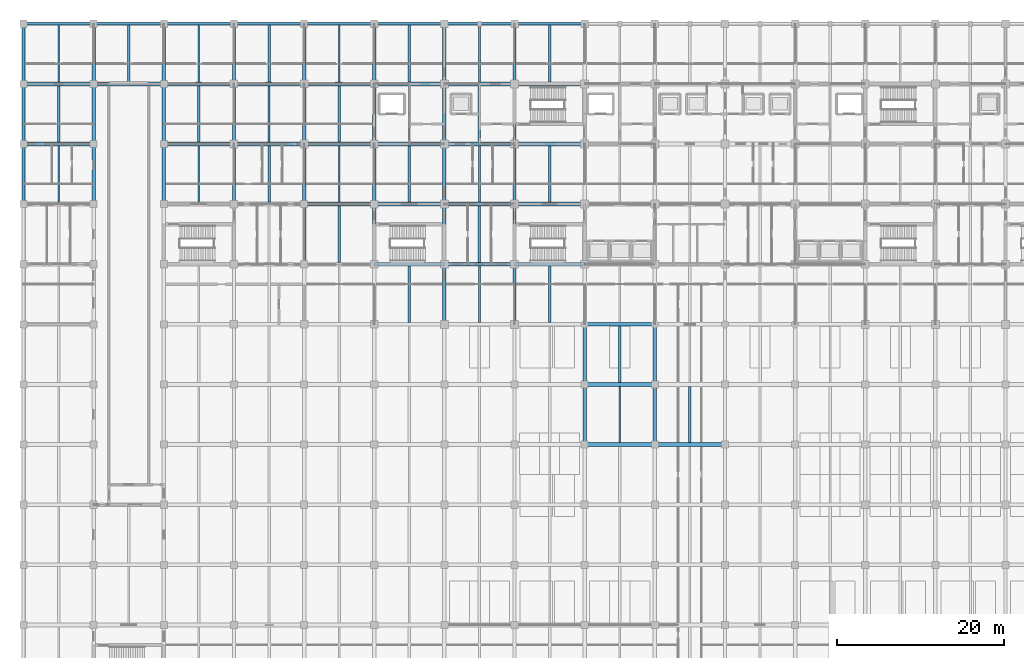
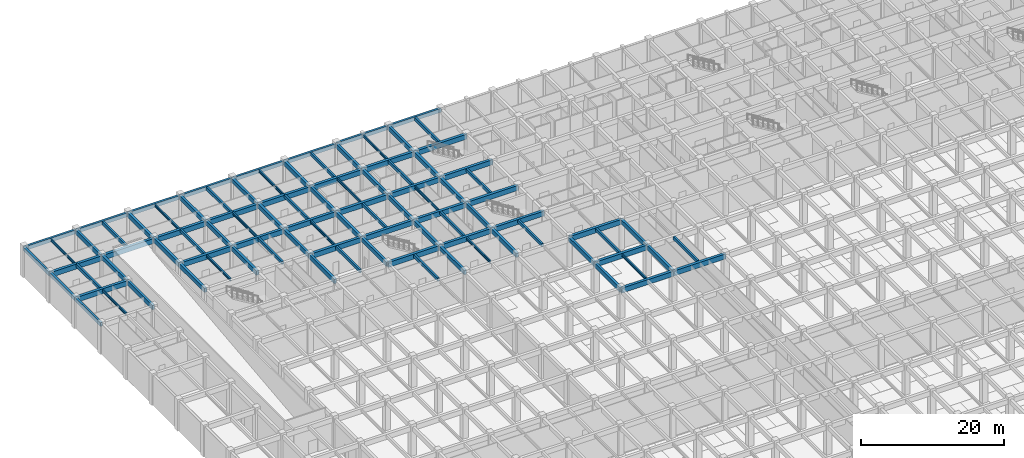
# One storey, part 7 of 48: 97 beams.
"""IFC4 building model written with IfcOpenShell, lengths in metres."""

from ifc_helpers import new_model, si_unit, direction, frame, origin, origin_2d, place, context, subcontext, project, spatial, rectangle, i_section, extrude, material, material_profile, profile_set, type_object, element, save


model = new_model("IFC4")

# Units and contexts
model_context = context("Model", 3, precision=1e-05, world=origin(), true_north=direction((0.0, 1.0)))
body_context = subcontext(model_context, "Body", "Model", "MODEL_VIEW")
ifc_project = project(units=[si_unit("LENGTHUNIT", "METRE"), si_unit("AREAUNIT", "SQUARE_METRE"), si_unit("VOLUMEUNIT", "CUBIC_METRE"), si_unit("PLANEANGLEUNIT", "RADIAN"), si_unit("MASSUNIT", "GRAM", prefix="KILO")], contexts=[model_context])

# Site, building, storey
site_placement = place(None, origin())
site = spatial("IfcSite", under=ifc_project, at=site_placement, CompositionType="ELEMENT")
building_placement = place(site_placement, origin())
building = spatial("IfcBuilding", under=site, at=building_placement, Name="Chengyuan Square Courthouse", CompositionType="ELEMENT")
storey_placement = place(building_placement, frame((0.0, 0.0, -5.39990234375)))
storey = spatial("IfcBuildingStorey", under=building, at=storey_placement, Name="B01", CompositionType="ELEMENT", Elevation=-5.39990234375)

# Beams
ifc_material_1 = material(Name="Concrete C40", Category="concrete")
ifc_material_profile_1 = material_profile(ifc_material_1, rectangle(XDim=0.449951171875, YDim=0.85009765625, at=origin_2d()), Name="RC-BM-450x850")
ifc_profile_set_1 = profile_set([ifc_material_profile_1], Name="Concrete C40")
beam_type_1 = type_object("IfcBeamType", Name="BM-01", PredefinedType="USERDEFINED", material=ifc_profile_set_1)
beam_1_placement = place(storey_placement, frame((67.199951171875, 64.800048828125, 4.554931640625), z_axis=(1.0, 0.0, 0.0), x_axis=(0.0, 1.0, 0.0)))
element("IfcBeam", 1, at=beam_1_placement, inside=storey, type_object=beam_type_1, Name="Girder BM-B01-0859", ObjectType="GIRDER", PredefinedType="USERDEFINED", context=body_context, shape_type="SweptSolid", body=[
    extrude(rectangle(XDim=0.449951171875, YDim=0.85009765625, at=origin_2d()), origin(), (0.0, 0.0, 1.0), 8.400146484375),
])
beam_2_placement = place(storey_placement, frame((75.60009765625, 64.800048828125, 4.554931640625), z_axis=(1.0, 0.0, 0.0), x_axis=(0.0, 1.0, 0.0)))
element("IfcBeam", 2, at=beam_2_placement, inside=storey, type_object=beam_type_1, Name="Girder BM-B01-0860", ObjectType="GIRDER", PredefinedType="USERDEFINED", context=body_context, shape_type="SweptSolid", body=[
    extrude(rectangle(XDim=0.449951171875, YDim=0.85009765625, at=origin_2d()), origin(), (0.0, 0.0, 1.0), 8.39990234375),
])
for number, where, z_axis, x_axis, name in (
    (3, (67.199951171875, 72.0, 4.6748046875), (1.0, 0.0, 0.0), (0.0, 1.0, 0.0), "Girder BM-B01-0878"),
    (4, (67.199951171875, 79.199951171875, 4.6748046875), (1.0, 0.0, 0.0), (0.0, 1.0, 0.0), "Girder BM-B01-0897"),
):
    element("IfcBeam", number, at=place(storey_placement, frame(where, z_axis=z_axis, x_axis=x_axis)), inside=storey, type_object=beam_type_1, Name=name, ObjectType="GIRDER", PredefinedType="USERDEFINED", context=body_context, shape_type="SweptSolid", body=[
        extrude(rectangle(XDim=0.449951171875, YDim=0.85009765625, at=origin_2d()), origin(), (0.0, 0.0, 1.0), 8.400146484375),
    ])
beam_3_placement = place(storey_placement, frame((42.0, 86.39990234375, 4.6748046875), z_axis=(1.0, 0.0, 0.0), x_axis=(0.0, 1.0, 0.0)))
element("IfcBeam", 5, at=beam_3_placement, inside=storey, type_object=beam_type_1, Name="Girder BM-B01-0913", ObjectType="GIRDER", PredefinedType="USERDEFINED", context=body_context, shape_type="SweptSolid", body=[
    extrude(rectangle(XDim=0.449951171875, YDim=0.85009765625, at=origin_2d()), origin(), (0.0, 0.0, 1.0), 8.39990234375),
])
beam_4_placement = place(storey_placement, frame((50.39990234375, 86.39990234375, 4.6748046875), z_axis=(1.0, 0.0, 0.0), x_axis=(0.0, 1.0, 0.0)))
element("IfcBeam", 6, at=beam_4_placement, inside=storey, type_object=beam_type_1, Name="Girder BM-B01-0914", ObjectType="GIRDER", PredefinedType="USERDEFINED", context=body_context, shape_type="SweptSolid", body=[
    extrude(rectangle(XDim=0.449951171875, YDim=0.85009765625, at=origin_2d()), origin(), (0.0, 0.0, 1.0), 8.400146484375),
])
for number, where, z_axis, x_axis, name in (
    (7, (58.800048828125, 86.39990234375, 4.6748046875), (1.0, 0.0, 0.0), (0.0, 1.0, 0.0), "Girder BM-B01-0915"),
    (8, (33.60009765625, 93.60009765625, 4.6748046875), (1.0, 0.0, 0.0), (0.0, 1.0, 0.0), "Girder BM-B01-0931"),
    (9, (42.0, 93.60009765625, 4.6748046875), (1.0, 0.0, 0.0), (0.0, 1.0, 0.0), "Girder BM-B01-0932"),
):
    element("IfcBeam", number, at=place(storey_placement, frame(where, z_axis=z_axis, x_axis=x_axis)), inside=storey, type_object=beam_type_1, Name=name, ObjectType="GIRDER", PredefinedType="USERDEFINED", context=body_context, shape_type="SweptSolid", body=[
        extrude(rectangle(XDim=0.449951171875, YDim=0.85009765625, at=origin_2d()), origin(), (0.0, 0.0, 1.0), 8.39990234375),
    ])
beam_5_placement = place(storey_placement, frame((50.39990234375, 93.60009765625, 4.6748046875), z_axis=(1.0, 0.0, 0.0), x_axis=(0.0, 1.0, 0.0)))
element("IfcBeam", 10, at=beam_5_placement, inside=storey, type_object=beam_type_1, Name="Girder BM-B01-0933", ObjectType="GIRDER", PredefinedType="USERDEFINED", context=body_context, shape_type="SweptSolid", body=[
    extrude(rectangle(XDim=0.449951171875, YDim=0.85009765625, at=origin_2d()), origin(), (0.0, 0.0, 1.0), 8.400146484375),
])
for number, where, z_axis, x_axis, name in (
    (11, (58.800048828125, 93.60009765625, 4.6748046875), (1.0, 0.0, 0.0), (0.0, 1.0, 0.0), "Girder BM-B01-0934"),
    (12, (0.0, 100.800048828125, 4.6748046875), (1.0, 0.0, 0.0), (0.0, 1.0, 0.0), "Girder BM-B01-0947"),
    (13, (16.800048828125, 100.800048828125, 4.6748046875), (1.0, 0.0, 0.0), (0.0, 1.0, 0.0), "Girder BM-B01-0948"),
):
    element("IfcBeam", number, at=place(storey_placement, frame(where, z_axis=z_axis, x_axis=x_axis)), inside=storey, type_object=beam_type_1, Name=name, ObjectType="GIRDER", PredefinedType="USERDEFINED", context=body_context, shape_type="SweptSolid", body=[
        extrude(rectangle(XDim=0.449951171875, YDim=0.85009765625, at=origin_2d()), origin(), (0.0, 0.0, 1.0), 8.39990234375),
    ])
beam_6_placement = place(storey_placement, frame((25.199951171875, 100.800048828125, 4.6748046875), z_axis=(1.0, 0.0, 0.0), x_axis=(0.0, 1.0, 0.0)))
element("IfcBeam", 14, at=beam_6_placement, inside=storey, type_object=beam_type_1, Name="Girder BM-B01-0949", ObjectType="GIRDER", PredefinedType="USERDEFINED", context=body_context, shape_type="SweptSolid", body=[
    extrude(rectangle(XDim=0.449951171875, YDim=0.85009765625, at=origin_2d()), origin(), (0.0, 0.0, 1.0), 8.400146484375),
])
for number, where, z_axis, x_axis, name in (
    (15, (33.60009765625, 100.800048828125, 4.6748046875), (1.0, 0.0, 0.0), (0.0, 1.0, 0.0), "Girder BM-B01-0950"),
    (16, (42.0, 100.800048828125, 4.6748046875), (1.0, 0.0, 0.0), (0.0, 1.0, 0.0), "Girder BM-B01-0951"),
):
    element("IfcBeam", number, at=place(storey_placement, frame(where, z_axis=z_axis, x_axis=x_axis)), inside=storey, type_object=beam_type_1, Name=name, ObjectType="GIRDER", PredefinedType="USERDEFINED", context=body_context, shape_type="SweptSolid", body=[
        extrude(rectangle(XDim=0.449951171875, YDim=0.85009765625, at=origin_2d()), origin(), (0.0, 0.0, 1.0), 8.39990234375),
    ])
beam_7_placement = place(storey_placement, frame((50.39990234375, 100.800048828125, 4.6748046875), z_axis=(1.0, 0.0, 0.0), x_axis=(0.0, 1.0, 0.0)))
element("IfcBeam", 17, at=beam_7_placement, inside=storey, type_object=beam_type_1, Name="Girder BM-B01-0952", ObjectType="GIRDER", PredefinedType="USERDEFINED", context=body_context, shape_type="SweptSolid", body=[
    extrude(rectangle(XDim=0.449951171875, YDim=0.85009765625, at=origin_2d()), origin(), (0.0, 0.0, 1.0), 8.400146484375),
])
for number, where, z_axis, x_axis, name in (
    (18, (58.800048828125, 100.800048828125, 4.6748046875), (1.0, 0.0, 0.0), (0.0, 1.0, 0.0), "Girder BM-B01-0953"),
    (19, (0.0, 108.0, 4.554931640625), (1.0, 0.0, 0.0), (0.0, 1.0, 0.0), "Girder BM-B01-0966"),
):
    element("IfcBeam", number, at=place(storey_placement, frame(where, z_axis=z_axis, x_axis=x_axis)), inside=storey, type_object=beam_type_1, Name=name, ObjectType="GIRDER", PredefinedType="USERDEFINED", context=body_context, shape_type="SweptSolid", body=[
        extrude(rectangle(XDim=0.449951171875, YDim=0.85009765625, at=origin_2d()), origin(), (0.0, 0.0, 1.0), 8.39990234375),
    ])
beam_8_placement = place(storey_placement, frame((8.39990234375, 108.0, 4.554931640625), z_axis=(1.0, 0.0, 0.0), x_axis=(0.0, 1.0, 0.0)))
element("IfcBeam", 20, at=beam_8_placement, inside=storey, type_object=beam_type_1, Name="Girder BM-B01-0967", ObjectType="GIRDER", PredefinedType="USERDEFINED", context=body_context, shape_type="SweptSolid", body=[
    extrude(rectangle(XDim=0.449951171875, YDim=0.85009765625, at=origin_2d()), origin(), (0.0, 0.0, 1.0), 8.400146484375),
])
beam_9_placement = place(storey_placement, frame((16.800048828125, 108.0, 4.554931640625), z_axis=(1.0, 0.0, 0.0), x_axis=(0.0, 1.0, 0.0)))
element("IfcBeam", 21, at=beam_9_placement, inside=storey, type_object=beam_type_1, Name="Girder BM-B01-0968", ObjectType="GIRDER", PredefinedType="USERDEFINED", context=body_context, shape_type="SweptSolid", body=[
    extrude(rectangle(XDim=0.449951171875, YDim=0.85009765625, at=origin_2d()), origin(), (0.0, 0.0, 1.0), 8.39990234375),
])
beam_10_placement = place(storey_placement, frame((25.199951171875, 108.0, 4.554931640625), z_axis=(1.0, 0.0, 0.0), x_axis=(0.0, 1.0, 0.0)))
element("IfcBeam", 22, at=beam_10_placement, inside=storey, type_object=beam_type_1, Name="Girder BM-B01-0969", ObjectType="GIRDER", PredefinedType="USERDEFINED", context=body_context, shape_type="SweptSolid", body=[
    extrude(rectangle(XDim=0.449951171875, YDim=0.85009765625, at=origin_2d()), origin(), (0.0, 0.0, 1.0), 8.400146484375),
])
for number, where, z_axis, x_axis, name in (
    (23, (33.60009765625, 108.0, 4.554931640625), (1.0, 0.0, 0.0), (0.0, 1.0, 0.0), "Girder BM-B01-0970"),
    (24, (42.0, 108.0, 4.554931640625), (1.0, 0.0, 0.0), (0.0, 1.0, 0.0), "Girder BM-B01-0971"),
):
    element("IfcBeam", number, at=place(storey_placement, frame(where, z_axis=z_axis, x_axis=x_axis)), inside=storey, type_object=beam_type_1, Name=name, ObjectType="GIRDER", PredefinedType="USERDEFINED", context=body_context, shape_type="SweptSolid", body=[
        extrude(rectangle(XDim=0.449951171875, YDim=0.85009765625, at=origin_2d()), origin(), (0.0, 0.0, 1.0), 8.39990234375),
    ])
beam_11_placement = place(storey_placement, frame((50.39990234375, 108.0, 4.6748046875), z_axis=(1.0, 0.0, 0.0), x_axis=(0.0, 1.0, 0.0)))
element("IfcBeam", 25, at=beam_11_placement, inside=storey, type_object=beam_type_1, Name="Girder BM-B01-0972", ObjectType="GIRDER", PredefinedType="USERDEFINED", context=body_context, shape_type="SweptSolid", body=[
    extrude(rectangle(XDim=0.449951171875, YDim=0.85009765625, at=origin_2d()), origin(), (0.0, 0.0, 1.0), 8.400146484375),
])
beam_12_placement = place(storey_placement, frame((58.800048828125, 108.0, 4.6748046875), z_axis=(1.0, 0.0, 0.0), x_axis=(0.0, 1.0, 0.0)))
element("IfcBeam", 26, at=beam_12_placement, inside=storey, type_object=beam_type_1, Name="Girder BM-B01-0973", ObjectType="GIRDER", PredefinedType="USERDEFINED", context=body_context, shape_type="SweptSolid", body=[
    extrude(rectangle(XDim=0.449951171875, YDim=0.85009765625, at=origin_2d()), origin(), (0.0, 0.0, 1.0), 8.39990234375),
])
ifc_material_profile_2 = material_profile(ifc_material_1, rectangle(XDim=0.39990234375, YDim=0.75, at=origin_2d()), Name="RC-BM-400x750")
ifc_profile_set_2 = profile_set([ifc_material_profile_2], Name="Concrete C40")
beam_type_2 = type_object("IfcBeamType", Name="BM-02", PredefinedType="USERDEFINED", material=ifc_profile_set_2)
for number, where, z_axis, x_axis, name in (
    (27, (8.39990234375, 93.60009765625, 4.724853515625), (0.0, 1.0, 0.0), (-1.0, 0.0, 0.0), "Girder BM-B01-1035"),
    (28, (8.39990234375, 100.800048828125, 4.724853515625), (0.0, 1.0, 0.0), (-1.0, 0.0, 0.0), "Girder BM-B01-1036"),
    (29, (8.39990234375, 108.0, 4.60498046875), (0.0, 1.0, 0.0), (-1.0, 0.0, 0.0), "Girder BM-B01-1037"),
    (30, (16.800048828125, 93.60009765625, 4.724853515625), (0.0, 1.0, 0.0), (-1.0, 0.0, 0.0), "Girder BM-B01-1051"),
    (31, (16.800048828125, 100.800048828125, 4.724853515625), (0.0, 1.0, 0.0), (-1.0, 0.0, 0.0), "Girder BM-B01-1052"),
    (32, (16.800048828125, 108.0, 4.60498046875), (0.0, 1.0, 0.0), (-1.0, 0.0, 0.0), "Girder BM-B01-1053"),
    (33, (25.199951171875, 93.60009765625, 4.724853515625), (0.0, 1.0, 0.0), (-1.0, 0.0, 0.0), "Girder BM-B01-1067"),
    (34, (25.199951171875, 100.800048828125, 4.724853515625), (0.0, 1.0, 0.0), (-1.0, 0.0, 0.0), "Girder BM-B01-1068"),
    (35, (25.199951171875, 108.0, 4.60498046875), (0.0, 1.0, 0.0), (-1.0, 0.0, 0.0), "Girder BM-B01-1069"),
):
    element("IfcBeam", number, at=place(storey_placement, frame(where, z_axis=z_axis, x_axis=x_axis)), inside=storey, type_object=beam_type_2, Name=name, ObjectType="GIRDER", PredefinedType="USERDEFINED", context=body_context, shape_type="SweptSolid", body=[
        extrude(rectangle(XDim=0.39990234375, YDim=0.75, at=origin_2d()), origin(), (0.0, 0.0, 1.0), 7.199951171875),
    ])
beam_13_placement = place(storey_placement, frame((33.60009765625, 86.39990234375, 4.724853515625), z_axis=(0.0, 1.0, 0.0), x_axis=(-1.0, 0.0, 0.0)))
element("IfcBeam", 36, at=beam_13_placement, inside=storey, type_object=beam_type_2, Name="Girder BM-B01-1082", ObjectType="GIRDER", PredefinedType="USERDEFINED", context=body_context, shape_type="SweptSolid", body=[
    extrude(rectangle(XDim=0.39990234375, YDim=0.75, at=origin_2d()), origin(), (0.0, 0.0, 1.0), 7.2001953125),
])
for number, where, z_axis, x_axis, name in (
    (37, (33.60009765625, 93.60009765625, 4.724853515625), (0.0, 1.0, 0.0), (-1.0, 0.0, 0.0), "Girder BM-B01-1083"),
    (38, (33.60009765625, 100.800048828125, 4.724853515625), (0.0, 1.0, 0.0), (-1.0, 0.0, 0.0), "Girder BM-B01-1084"),
    (39, (33.60009765625, 108.0, 4.60498046875), (0.0, 1.0, 0.0), (-1.0, 0.0, 0.0), "Girder BM-B01-1085"),
):
    element("IfcBeam", number, at=place(storey_placement, frame(where, z_axis=z_axis, x_axis=x_axis)), inside=storey, type_object=beam_type_2, Name=name, ObjectType="GIRDER", PredefinedType="USERDEFINED", context=body_context, shape_type="SweptSolid", body=[
        extrude(rectangle(XDim=0.39990234375, YDim=0.75, at=origin_2d()), origin(), (0.0, 0.0, 1.0), 7.199951171875),
    ])
beam_14_placement = place(storey_placement, frame((42.0, 86.39990234375, 4.724853515625), z_axis=(0.0, 1.0, 0.0), x_axis=(-1.0, 0.0, 0.0)))
element("IfcBeam", 40, at=beam_14_placement, inside=storey, type_object=beam_type_2, Name="Girder BM-B01-1098", ObjectType="GIRDER", PredefinedType="USERDEFINED", context=body_context, shape_type="SweptSolid", body=[
    extrude(rectangle(XDim=0.39990234375, YDim=0.75, at=origin_2d()), origin(), (0.0, 0.0, 1.0), 7.2001953125),
])
for number, where, z_axis, x_axis, name in (
    (41, (42.0, 93.60009765625, 4.724853515625), (0.0, 1.0, 0.0), (-1.0, 0.0, 0.0), "Girder BM-B01-1099"),
    (42, (42.0, 100.800048828125, 4.724853515625), (0.0, 1.0, 0.0), (-1.0, 0.0, 0.0), "Girder BM-B01-1100"),
    (43, (42.0, 108.0, 4.60498046875), (0.0, 1.0, 0.0), (-1.0, 0.0, 0.0), "Girder BM-B01-1101"),
    (44, (50.39990234375, 79.199951171875, 4.724853515625), (0.0, 1.0, 0.0), (-1.0, 0.0, 0.0), "Girder BM-B01-1113"),
):
    element("IfcBeam", number, at=place(storey_placement, frame(where, z_axis=z_axis, x_axis=x_axis)), inside=storey, type_object=beam_type_2, Name=name, ObjectType="GIRDER", PredefinedType="USERDEFINED", context=body_context, shape_type="SweptSolid", body=[
        extrude(rectangle(XDim=0.39990234375, YDim=0.75, at=origin_2d()), origin(), (0.0, 0.0, 1.0), 7.199951171875),
    ])
beam_15_placement = place(storey_placement, frame((50.39990234375, 86.39990234375, 4.724853515625), z_axis=(0.0, 1.0, 0.0), x_axis=(-1.0, 0.0, 0.0)))
element("IfcBeam", 45, at=beam_15_placement, inside=storey, type_object=beam_type_2, Name="Girder BM-B01-1114", ObjectType="GIRDER", PredefinedType="USERDEFINED", context=body_context, shape_type="SweptSolid", body=[
    extrude(rectangle(XDim=0.39990234375, YDim=0.75, at=origin_2d()), origin(), (0.0, 0.0, 1.0), 7.2001953125),
])
for number, where, z_axis, x_axis, name in (
    (46, (50.39990234375, 93.60009765625, 4.724853515625), (0.0, 1.0, 0.0), (-1.0, 0.0, 0.0), "Girder BM-B01-1115"),
    (47, (50.39990234375, 100.800048828125, 4.724853515625), (0.0, 1.0, 0.0), (-1.0, 0.0, 0.0), "Girder BM-B01-1116"),
    (48, (50.39990234375, 108.0, 4.60498046875), (0.0, 1.0, 0.0), (-1.0, 0.0, 0.0), "Girder BM-B01-1117"),
    (49, (58.800048828125, 79.199951171875, 4.724853515625), (0.0, 1.0, 0.0), (-1.0, 0.0, 0.0), "Girder BM-B01-1129"),
):
    element("IfcBeam", number, at=place(storey_placement, frame(where, z_axis=z_axis, x_axis=x_axis)), inside=storey, type_object=beam_type_2, Name=name, ObjectType="GIRDER", PredefinedType="USERDEFINED", context=body_context, shape_type="SweptSolid", body=[
        extrude(rectangle(XDim=0.39990234375, YDim=0.75, at=origin_2d()), origin(), (0.0, 0.0, 1.0), 7.199951171875),
    ])
beam_16_placement = place(storey_placement, frame((58.800048828125, 86.39990234375, 4.724853515625), z_axis=(0.0, 1.0, 0.0), x_axis=(-1.0, 0.0, 0.0)))
element("IfcBeam", 50, at=beam_16_placement, inside=storey, type_object=beam_type_2, Name="Girder BM-B01-1130", ObjectType="GIRDER", PredefinedType="USERDEFINED", context=body_context, shape_type="SweptSolid", body=[
    extrude(rectangle(XDim=0.39990234375, YDim=0.75, at=origin_2d()), origin(), (0.0, 0.0, 1.0), 7.2001953125),
])
for number, where, z_axis, x_axis, name in (
    (51, (58.800048828125, 93.60009765625, 4.724853515625), (0.0, 1.0, 0.0), (-1.0, 0.0, 0.0), "Girder BM-B01-1131"),
    (52, (58.800048828125, 100.800048828125, 4.724853515625), (0.0, 1.0, 0.0), (-1.0, 0.0, 0.0), "Girder BM-B01-1132"),
    (53, (58.800048828125, 108.0, 4.724853515625), (0.0, 1.0, 0.0), (-1.0, 0.0, 0.0), "Girder BM-B01-1133"),
    (54, (67.199951171875, 64.800048828125, 4.60498046875), (0.0, 1.0, 0.0), (-1.0, 0.0, 0.0), "Girder BM-B01-1143"),
    (55, (67.199951171875, 72.0, 4.60498046875), (0.0, 1.0, 0.0), (-1.0, 0.0, 0.0), "Girder BM-B01-1144"),
    (56, (75.60009765625, 64.800048828125, 4.724853515625), (0.0, 1.0, 0.0), (-1.0, 0.0, 0.0), "Girder BM-B01-1159"),
    (57, (75.60009765625, 72.0, 4.724853515625), (0.0, 1.0, 0.0), (-1.0, 0.0, 0.0), "Girder BM-B01-1160"),
):
    element("IfcBeam", number, at=place(storey_placement, frame(where, z_axis=z_axis, x_axis=x_axis)), inside=storey, type_object=beam_type_2, Name=name, ObjectType="GIRDER", PredefinedType="USERDEFINED", context=body_context, shape_type="SweptSolid", body=[
        extrude(rectangle(XDim=0.39990234375, YDim=0.75, at=origin_2d()), origin(), (0.0, 0.0, 1.0), 7.199951171875),
    ])
ifc_material_profile_3 = material_profile(ifc_material_1, rectangle(XDim=0.35009765625, YDim=0.64990234375, at=origin_2d()), Name="RC-BM-350x650")
ifc_profile_set_3 = profile_set([ifc_material_profile_3], Name="Concrete C40")
beam_type_3 = type_object("IfcBeamType", Name="BM-03", PredefinedType="SPANDREL", material=ifc_profile_set_3)
beam_17_placement = place(storey_placement, frame((0.0, 115.199951171875, 4.65478515625), z_axis=(1.0, 0.0, 0.0), x_axis=(0.0, 1.0, 0.0)))
element("IfcBeam", 58, at=beam_17_placement, inside=storey, type_object=beam_type_3, Name="Girder BM-B01-0986", PredefinedType="SPANDREL", context=body_context, shape_type="SweptSolid", body=[
    extrude(rectangle(XDim=0.35009765625, YDim=0.64990234375, at=origin_2d()), origin(), (0.0, 0.0, 1.0), 8.39990234375),
])
beam_18_placement = place(storey_placement, frame((8.39990234375, 115.199951171875, 4.65478515625), z_axis=(1.0, 0.0, 0.0), x_axis=(0.0, 1.0, 0.0)))
element("IfcBeam", 59, at=beam_18_placement, inside=storey, type_object=beam_type_3, Name="Girder BM-B01-0987", PredefinedType="SPANDREL", context=body_context, shape_type="SweptSolid", body=[
    extrude(rectangle(XDim=0.35009765625, YDim=0.64990234375, at=origin_2d()), origin(), (0.0, 0.0, 1.0), 8.400146484375),
])
beam_19_placement = place(storey_placement, frame((16.800048828125, 115.199951171875, 4.65478515625), z_axis=(1.0, 0.0, 0.0), x_axis=(0.0, 1.0, 0.0)))
element("IfcBeam", 60, at=beam_19_placement, inside=storey, type_object=beam_type_3, Name="Girder BM-B01-0988", PredefinedType="SPANDREL", context=body_context, shape_type="SweptSolid", body=[
    extrude(rectangle(XDim=0.35009765625, YDim=0.64990234375, at=origin_2d()), origin(), (0.0, 0.0, 1.0), 8.39990234375),
])
beam_20_placement = place(storey_placement, frame((25.199951171875, 115.199951171875, 4.65478515625), z_axis=(1.0, 0.0, 0.0), x_axis=(0.0, 1.0, 0.0)))
element("IfcBeam", 61, at=beam_20_placement, inside=storey, type_object=beam_type_3, Name="Girder BM-B01-0989", PredefinedType="SPANDREL", context=body_context, shape_type="SweptSolid", body=[
    extrude(rectangle(XDim=0.35009765625, YDim=0.64990234375, at=origin_2d()), origin(), (0.0, 0.0, 1.0), 8.400146484375),
])
for number, where, z_axis, x_axis, name in (
    (62, (33.60009765625, 115.199951171875, 4.65478515625), (1.0, 0.0, 0.0), (0.0, 1.0, 0.0), "Girder BM-B01-0990"),
    (63, (42.0, 115.199951171875, 4.65478515625), (1.0, 0.0, 0.0), (0.0, 1.0, 0.0), "Girder BM-B01-0991"),
):
    element("IfcBeam", number, at=place(storey_placement, frame(where, z_axis=z_axis, x_axis=x_axis)), inside=storey, type_object=beam_type_3, Name=name, PredefinedType="SPANDREL", context=body_context, shape_type="SweptSolid", body=[
        extrude(rectangle(XDim=0.35009765625, YDim=0.64990234375, at=origin_2d()), origin(), (0.0, 0.0, 1.0), 8.39990234375),
    ])
beam_21_placement = place(storey_placement, frame((50.39990234375, 115.199951171875, 4.77490234375), z_axis=(1.0, 0.0, 0.0), x_axis=(0.0, 1.0, 0.0)))
element("IfcBeam", 64, at=beam_21_placement, inside=storey, type_object=beam_type_3, Name="Girder BM-B01-0992", PredefinedType="SPANDREL", context=body_context, shape_type="SweptSolid", body=[
    extrude(rectangle(XDim=0.35009765625, YDim=0.64990234375, at=origin_2d()), origin(), (0.0, 0.0, 1.0), 8.400146484375),
])
beam_22_placement = place(storey_placement, frame((58.800048828125, 115.199951171875, 4.77490234375), z_axis=(1.0, 0.0, 0.0), x_axis=(0.0, 1.0, 0.0)))
element("IfcBeam", 65, at=beam_22_placement, inside=storey, type_object=beam_type_3, Name="Girder BM-B01-0993", PredefinedType="SPANDREL", context=body_context, shape_type="SweptSolid", body=[
    extrude(rectangle(XDim=0.35009765625, YDim=0.64990234375, at=origin_2d()), origin(), (0.0, 0.0, 1.0), 8.39990234375),
])
for number, where, z_axis, x_axis, name in (
    (66, (0.0, 93.60009765625, 4.77490234375), (0.0, 1.0, 0.0), (-1.0, 0.0, 0.0), "Girder BM-B01-1019"),
    (67, (0.0, 100.800048828125, 4.77490234375), (0.0, 1.0, 0.0), (-1.0, 0.0, 0.0), "Girder BM-B01-1020"),
    (68, (0.0, 108.0, 4.65478515625), (0.0, 1.0, 0.0), (-1.0, 0.0, 0.0), "Girder BM-B01-1021"),
):
    element("IfcBeam", number, at=place(storey_placement, frame(where, z_axis=z_axis, x_axis=x_axis)), inside=storey, type_object=beam_type_3, Name=name, PredefinedType="SPANDREL", context=body_context, shape_type="SweptSolid", body=[
        extrude(rectangle(XDim=0.35009765625, YDim=0.64990234375, at=origin_2d()), origin(), (0.0, 0.0, 1.0), 7.199951171875),
    ])
ifc_material_profile_4 = material_profile(ifc_material_1, rectangle(XDim=0.300048828125, YDim=0.550048828125, at=origin_2d()), Name="RC-BM-300x550")
ifc_profile_set_4 = profile_set([ifc_material_profile_4], Name="Concrete C40")
beam_type_4 = type_object("IfcBeamType", Name="BM-04", PredefinedType="BEAM", material=ifc_profile_set_4)
beam_23_placement = place(storey_placement, frame((4.199951171875, 101.02490234375, 4.824951171875), z_axis=(0.0, 1.0, 0.0), x_axis=(-1.0, 0.0, 0.0)))
element("IfcBeam", 69, at=beam_23_placement, inside=storey, type_object=beam_type_4, Name="Secondary Floor Beam SBM-B01-1356", PredefinedType="BEAM", context=body_context, shape_type="SweptSolid", body=[
    extrude(rectangle(XDim=0.300048828125, YDim=0.550048828125, at=origin_2d()), origin(), (0.0, 0.0, 1.0), 6.75),
])
beam_24_placement = place(storey_placement, frame((12.60009765625, 108.22509765625, 4.704833984375), z_axis=(0.0, 1.0, 0.0), x_axis=(-1.0, 0.0, 0.0)))
element("IfcBeam", 70, at=beam_24_placement, inside=storey, type_object=beam_type_4, Name="Secondary Floor Beam SBM-B01-1365", PredefinedType="BEAM", context=body_context, shape_type="SweptSolid", body=[
    extrude(rectangle(XDim=0.300048828125, YDim=0.550048828125, at=origin_2d()), origin(), (0.0, 0.0, 1.0), 6.7998046875),
])
for number, where, z_axis, x_axis, name in (
    (71, (21.0, 101.02490234375, 4.824951171875), (0.0, 1.0, 0.0), (-1.0, 0.0, 0.0), "Secondary Floor Beam SBM-B01-1379"),
    (72, (29.39990234375, 93.824951171875, 4.824951171875), (0.0, 1.0, 0.0), (-1.0, 0.0, 0.0), "Secondary Floor Beam SBM-B01-1394"),
):
    element("IfcBeam", number, at=place(storey_placement, frame(where, z_axis=z_axis, x_axis=x_axis)), inside=storey, type_object=beam_type_4, Name=name, PredefinedType="BEAM", context=body_context, shape_type="SweptSolid", body=[
        extrude(rectangle(XDim=0.300048828125, YDim=0.550048828125, at=origin_2d()), origin(), (0.0, 0.0, 1.0), 6.75),
    ])
beam_25_placement = place(storey_placement, frame((29.39990234375, 108.22509765625, 4.704833984375), z_axis=(0.0, 1.0, 0.0), x_axis=(-1.0, 0.0, 0.0)))
element("IfcBeam", 73, at=beam_25_placement, inside=storey, type_object=beam_type_4, Name="Secondary Floor Beam SBM-B01-1396", PredefinedType="BEAM", context=body_context, shape_type="SweptSolid", body=[
    extrude(rectangle(XDim=0.300048828125, YDim=0.550048828125, at=origin_2d()), origin(), (0.0, 0.0, 1.0), 6.7998046875),
])
for number, where, z_axis, x_axis, name in (
    (74, (37.800048828125, 86.625, 4.824951171875), (0.0, 1.0, 0.0), (-1.0, 0.0, 0.0), "Secondary Floor Beam SBM-B01-1409"),
    (75, (37.800048828125, 101.02490234375, 4.824951171875), (0.0, 1.0, 0.0), (-1.0, 0.0, 0.0), "Secondary Floor Beam SBM-B01-1411"),
    (76, (46.199951171875, 79.425048828125, 4.824951171875), (0.0, 1.0, 0.0), (-1.0, 0.0, 0.0), "Secondary Floor Beam SBM-B01-1424"),
    (77, (46.199951171875, 93.824951171875, 4.824951171875), (0.0, 1.0, 0.0), (-1.0, 0.0, 0.0), "Secondary Floor Beam SBM-B01-1425"),
):
    element("IfcBeam", number, at=place(storey_placement, frame(where, z_axis=z_axis, x_axis=x_axis)), inside=storey, type_object=beam_type_4, Name=name, PredefinedType="BEAM", context=body_context, shape_type="SweptSolid", body=[
        extrude(rectangle(XDim=0.300048828125, YDim=0.550048828125, at=origin_2d()), origin(), (0.0, 0.0, 1.0), 6.75),
    ])
beam_26_placement = place(storey_placement, frame((46.199951171875, 108.22509765625, 4.704833984375), z_axis=(0.0, 1.0, 0.0), x_axis=(-1.0, 0.0, 0.0)))
element("IfcBeam", 78, at=beam_26_placement, inside=storey, type_object=beam_type_4, Name="Secondary Floor Beam SBM-B01-1427", PredefinedType="BEAM", context=body_context, shape_type="SweptSolid", body=[
    extrude(rectangle(XDim=0.300048828125, YDim=0.550048828125, at=origin_2d()), origin(), (0.0, 0.0, 1.0), 6.7998046875),
])
for number, where, z_axis, x_axis, name in (
    (79, (54.60009765625, 86.625, 4.824951171875), (0.0, 1.0, 0.0), (-1.0, 0.0, 0.0), "Secondary Floor Beam SBM-B01-1440"),
    (80, (54.60009765625, 101.02490234375, 4.824951171875), (0.0, 1.0, 0.0), (-1.0, 0.0, 0.0), "Secondary Floor Beam SBM-B01-1442"),
    (81, (63.0, 79.425048828125, 4.824951171875), (0.0, 1.0, 0.0), (-1.0, 0.0, 0.0), "Secondary Floor Beam SBM-B01-1455"),
    (82, (63.0, 93.824951171875, 4.824951171875), (0.0, 1.0, 0.0), (-1.0, 0.0, 0.0), "Secondary Floor Beam SBM-B01-1456"),
):
    element("IfcBeam", number, at=place(storey_placement, frame(where, z_axis=z_axis, x_axis=x_axis)), inside=storey, type_object=beam_type_4, Name=name, PredefinedType="BEAM", context=body_context, shape_type="SweptSolid", body=[
        extrude(rectangle(XDim=0.300048828125, YDim=0.550048828125, at=origin_2d()), origin(), (0.0, 0.0, 1.0), 6.75),
    ])
beam_27_placement = place(storey_placement, frame((63.0, 108.22509765625, 4.824951171875), z_axis=(0.0, 1.0, 0.0), x_axis=(-1.0, 0.0, 0.0)))
element("IfcBeam", 83, at=beam_27_placement, inside=storey, type_object=beam_type_4, Name="Secondary Floor Beam SBM-B01-1457", PredefinedType="BEAM", context=body_context, shape_type="SweptSolid", body=[
    extrude(rectangle(XDim=0.300048828125, YDim=0.550048828125, at=origin_2d()), origin(), (0.0, 0.0, 1.0), 6.7998046875),
])
for number, where, z_axis, x_axis, name in (
    (84, (71.39990234375, 72.22509765625, 4.824951171875), (0.0, 1.0, 0.0), (-1.0, 0.0, 0.0), "Secondary Floor Beam SBM-B01-1468"),
    (85, (79.800048828125, 65.02490234375, 4.824951171875), (0.0, 1.0, 0.0), (-1.0, 0.0, 0.0), "Secondary Floor Beam SBM-B01-1482"),
):
    element("IfcBeam", number, at=place(storey_placement, frame(where, z_axis=z_axis, x_axis=x_axis)), inside=storey, type_object=beam_type_4, Name=name, PredefinedType="BEAM", context=body_context, shape_type="SweptSolid", body=[
        extrude(rectangle(XDim=0.300048828125, YDim=0.550048828125, at=origin_2d()), origin(), (0.0, 0.0, 1.0), 6.75),
    ])
ifc_material_2 = material(Name="Steel Q355B", Category="steel")
ifc_material_profile_5 = material_profile(ifc_material_2, i_section(OverallWidth=0.199951171875, OverallDepth=0.449951171875, WebThickness=0.009033203125, FlangeThickness=0.013916015625, at=origin_2d()), Name="HN 450x200x9x14")
ifc_profile_set_5 = profile_set([ifc_material_profile_5], Name="Steel Q355B")
beam_type_5 = type_object("IfcBeamType", Name="BM-06", PredefinedType="BEAM", material=ifc_profile_set_5)
beam_28_placement = place(storey_placement, frame((4.199951171875, 93.824951171875, 4.875), z_axis=(0.0, 1.0, 0.0), x_axis=(-1.0, 0.0, 0.0)))
element("IfcBeam", 86, at=beam_28_placement, inside=storey, type_object=beam_type_5, Name="Secondary Floor Beam SBM-B01-1355", PredefinedType="BEAM", context=body_context, shape_type="SweptSolid", body=[
    extrude(i_section(OverallWidth=0.199951171875, OverallDepth=0.449951171875, WebThickness=0.009033203125, FlangeThickness=0.013916015625, at=origin_2d()), origin(), (0.0, 0.0, 1.0), 6.75),
])
beam_29_placement = place(storey_placement, frame((4.199951171875, 108.22509765625, 4.7548828125), z_axis=(0.0, 1.0, 0.0), x_axis=(-1.0, 0.0, 0.0)))
element("IfcBeam", 87, at=beam_29_placement, inside=storey, type_object=beam_type_5, Name="Secondary Floor Beam SBM-B01-1357", PredefinedType="BEAM", context=body_context, shape_type="SweptSolid", body=[
    extrude(i_section(OverallWidth=0.199951171875, OverallDepth=0.449951171875, WebThickness=0.009033203125, FlangeThickness=0.013916015625, at=origin_2d()), origin(), (0.0, 0.0, 1.0), 6.7998046875),
])
beam_30_placement = place(storey_placement, frame((21.0, 93.824951171875, 4.875), z_axis=(0.0, 1.0, 0.0), x_axis=(-1.0, 0.0, 0.0)))
element("IfcBeam", 88, at=beam_30_placement, inside=storey, type_object=beam_type_5, Name="Secondary Floor Beam SBM-B01-1378", PredefinedType="BEAM", context=body_context, shape_type="SweptSolid", body=[
    extrude(i_section(OverallWidth=0.199951171875, OverallDepth=0.449951171875, WebThickness=0.009033203125, FlangeThickness=0.013916015625, at=origin_2d()), origin(), (0.0, 0.0, 1.0), 6.75),
])
beam_31_placement = place(storey_placement, frame((21.0, 108.22509765625, 4.7548828125), z_axis=(0.0, 1.0, 0.0), x_axis=(-1.0, 0.0, 0.0)))
element("IfcBeam", 89, at=beam_31_placement, inside=storey, type_object=beam_type_5, Name="Secondary Floor Beam SBM-B01-1380", PredefinedType="BEAM", context=body_context, shape_type="SweptSolid", body=[
    extrude(i_section(OverallWidth=0.199951171875, OverallDepth=0.449951171875, WebThickness=0.009033203125, FlangeThickness=0.013916015625, at=origin_2d()), origin(), (0.0, 0.0, 1.0), 6.7998046875),
])
for number, where, z_axis, x_axis, name in (
    (90, (29.39990234375, 101.02490234375, 4.875), (0.0, 1.0, 0.0), (-1.0, 0.0, 0.0), "Secondary Floor Beam SBM-B01-1395"),
    (91, (37.800048828125, 93.824951171875, 4.875), (0.0, 1.0, 0.0), (-1.0, 0.0, 0.0), "Secondary Floor Beam SBM-B01-1410"),
):
    element("IfcBeam", number, at=place(storey_placement, frame(where, z_axis=z_axis, x_axis=x_axis)), inside=storey, type_object=beam_type_5, Name=name, PredefinedType="BEAM", context=body_context, shape_type="SweptSolid", body=[
        extrude(i_section(OverallWidth=0.199951171875, OverallDepth=0.449951171875, WebThickness=0.009033203125, FlangeThickness=0.013916015625, at=origin_2d()), origin(), (0.0, 0.0, 1.0), 6.75),
    ])
beam_32_placement = place(storey_placement, frame((37.800048828125, 108.22509765625, 4.7548828125), z_axis=(0.0, 1.0, 0.0), x_axis=(-1.0, 0.0, 0.0)))
element("IfcBeam", 92, at=beam_32_placement, inside=storey, type_object=beam_type_5, Name="Secondary Floor Beam SBM-B01-1412", PredefinedType="BEAM", context=body_context, shape_type="SweptSolid", body=[
    extrude(i_section(OverallWidth=0.199951171875, OverallDepth=0.449951171875, WebThickness=0.009033203125, FlangeThickness=0.013916015625, at=origin_2d()), origin(), (0.0, 0.0, 1.0), 6.7998046875),
])
for number, where, z_axis, x_axis, name in (
    (93, (46.199951171875, 101.02490234375, 4.875), (0.0, 1.0, 0.0), (-1.0, 0.0, 0.0), "Secondary Floor Beam SBM-B01-1426"),
    (94, (54.60009765625, 79.425048828125, 4.875), (0.0, 1.0, 0.0), (-1.0, 0.0, 0.0), "Secondary Floor Beam SBM-B01-1439"),
    (95, (54.60009765625, 93.824951171875, 4.875), (0.0, 1.0, 0.0), (-1.0, 0.0, 0.0), "Secondary Floor Beam SBM-B01-1441"),
):
    element("IfcBeam", number, at=place(storey_placement, frame(where, z_axis=z_axis, x_axis=x_axis)), inside=storey, type_object=beam_type_5, Name=name, PredefinedType="BEAM", context=body_context, shape_type="SweptSolid", body=[
        extrude(i_section(OverallWidth=0.199951171875, OverallDepth=0.449951171875, WebThickness=0.009033203125, FlangeThickness=0.013916015625, at=origin_2d()), origin(), (0.0, 0.0, 1.0), 6.75),
    ])
beam_33_placement = place(storey_placement, frame((54.60009765625, 108.22509765625, 4.875), z_axis=(0.0, 1.0, 0.0), x_axis=(-1.0, 0.0, 0.0)))
element("IfcBeam", 96, at=beam_33_placement, inside=storey, type_object=beam_type_5, Name="Secondary Floor Beam SBM-B01-1443", PredefinedType="BEAM", context=body_context, shape_type="SweptSolid", body=[
    extrude(i_section(OverallWidth=0.199951171875, OverallDepth=0.449951171875, WebThickness=0.009033203125, FlangeThickness=0.013916015625, at=origin_2d()), origin(), (0.0, 0.0, 1.0), 6.7998046875),
])
beam_34_placement = place(storey_placement, frame((71.39990234375, 65.02490234375, 4.875), z_axis=(0.0, 1.0, 0.0), x_axis=(-1.0, 0.0, 0.0)))
element("IfcBeam", 97, at=beam_34_placement, inside=storey, type_object=beam_type_5, Name="Secondary Floor Beam SBM-B01-1467", PredefinedType="BEAM", context=body_context, shape_type="SweptSolid", body=[
    extrude(i_section(OverallWidth=0.199951171875, OverallDepth=0.449951171875, WebThickness=0.009033203125, FlangeThickness=0.013916015625, at=origin_2d()), origin(), (0.0, 0.0, 1.0), 6.75),
])

save(model, "model.ifc")
